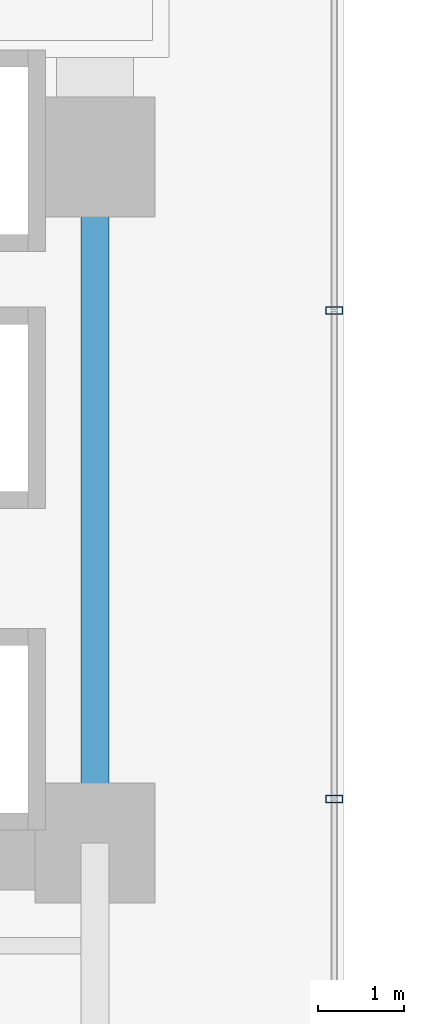
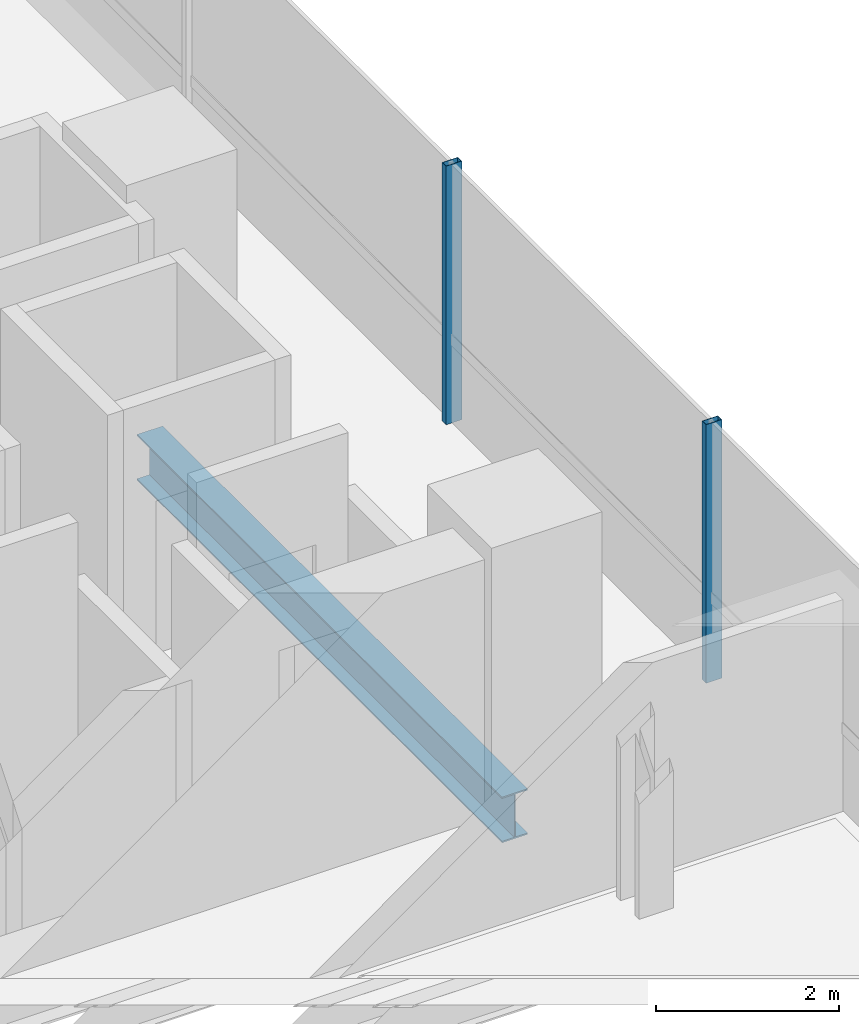
# One storey, part 6 of 40: 2 members, 1 beam, 1 element without a shape of its own.
"""IFC4 building model written with IfcOpenShell, lengths in metres."""

from ifc_helpers import new_model, si_unit, direction, frame, origin, origin_2d, place, context, subcontext, project, spatial, hollow_rectangle, i_section, extrude, source, transform, mapped, material, material_profile, profile_set, type_object, element, aggregate, save


model = new_model("IFC4")

# Units and contexts
model_context = context("Model", 3, precision=1e-05, world=origin(), true_north=direction((0.0, 1.0)))
body_context = subcontext(model_context, "Body", "Model", "MODEL_VIEW")
ifc_project = project(units=[si_unit("LENGTHUNIT", "METRE"), si_unit("AREAUNIT", "SQUARE_METRE"), si_unit("VOLUMEUNIT", "CUBIC_METRE"), si_unit("PLANEANGLEUNIT", "RADIAN"), si_unit("MASSUNIT", "GRAM", prefix="KILO")], contexts=[model_context])

# Site, building, storey
site_placement = place(None, origin())
site = spatial("IfcSite", under=ifc_project, at=site_placement, CompositionType="ELEMENT")
building_placement = place(site_placement, origin())
building = spatial("IfcBuilding", under=site, at=building_placement, Name="Valdorenza Pilgrim Sanctuary Tower", CompositionType="ELEMENT")
storey_placement = place(building_placement, frame((0.0, 0.0, 51.89990234375)))
storey = spatial("IfcBuildingStorey", under=building, at=storey_placement, Name="L12", CompositionType="ELEMENT", Elevation=51.89990234375)

# Beam
ifc_material_1 = material(Name="Steel ASTM A992 Grade 50", Category="steel")
ifc_material_profile_1 = material_profile(ifc_material_1, i_section(OverallWidth=0.323974609375, OverallDepth=0.611083984375, WebThickness=0.0126953125, FlangeThickness=0.01904296875, at=origin_2d()), Name="W24X104")
ifc_profile_set_1 = profile_set([ifc_material_profile_1], Name="Steel ASTM A992 Grade 50")
beam_type = type_object("IfcBeamType", Name="STR-BM-GRD-W24B", PredefinedType="BEAM", material=ifc_profile_set_1)
shared_shape_1 = source(origin(), body_context, "Body", "SweptSolid", [
    extrude(i_section(OverallWidth=0.323974609375, OverallDepth=0.611083984375, WebThickness=0.0126953125, FlangeThickness=0.01904296875, at=origin_2d()), origin(), (0.0, 0.0, 1.0), 8.0),
])
beam_placement = place(storey_placement, frame((-12.39990234375, -10.60009765625, -0.54541015625), z_axis=(0.0, 1.0, 0.0), x_axis=(-1.0, 0.0, 0.0)))
element("IfcBeam", 1, at=beam_placement, inside=storey, type_object=beam_type, Name="L12 Core Tie Girder CA-E-S1M0", PredefinedType="BEAM", context=body_context, shape_type="MappedRepresentation", body=[
    mapped(shared_shape_1, transform((0.0, 0.0, 0.0), x_axis=(1.0, 0.0, 0.0), y_axis=(0.0, 1.0, 0.0), z_axis=(0.0, 0.0, 1.0), scale=1.0)),
])

# Curtain wall, members
ifc_material_2 = material(Name="Curtain-wall IGU glazing", Category="glass")
curtain_wall_type = type_object("IfcCurtainWallType", Name="CW-SYS-02", PredefinedType="NOTDEFINED", material=ifc_material_2)
curtain_wall_placement = place(storey_placement, origin())
curtain_wall = element("IfcCurtainWall", 2, at=curtain_wall_placement, inside=storey, type_object=curtain_wall_type, Name="L12 Curtain Wall CW-L12-1-41", PredefinedType="NOTDEFINED")
ifc_material_3 = material(Name="Anodised aluminium AW-6060", Category="aluminium")
ifc_material_profile_2 = material_profile(ifc_material_3, hollow_rectangle(XDim=0.0849609375, YDim=0.199951171875, WallThickness=0.0048828125, at=origin_2d()), Name="ALU-M 200x85x5")
ifc_profile_set_2 = profile_set([ifc_material_profile_2], Name="Anodised aluminium AW-6060")
member_type = type_object("IfcMemberType", Name="CW-MUL-02", PredefinedType="MULLION", material=ifc_profile_set_2)
shared_shape_2 = source(origin(), body_context, "Body", "SweptSolid", [
    extrude(hollow_rectangle(XDim=0.0849609375, YDim=0.199951171875, WallThickness=0.0048828125, at=origin_2d()), origin(), (0.0, 0.0, 1.0), 3.460205078125),
])
member_1_placement = place(storey_placement, frame((-9.610107421875, -4.38916015625, 0.0), z_axis=(0.0, 0.0, 1.0), x_axis=(0.0, -1.0, 0.0)))
member_1 = element("IfcMember", 3, at=member_1_placement, type_object=member_type, Name="CW-L12-1-41 Mullion 3", PredefinedType="MULLION", context=body_context, shape_type="MappedRepresentation", body=[
    mapped(shared_shape_2, transform((0.0, 0.0, 0.0), x_axis=(1.0, 0.0, 0.0), y_axis=(0.0, 1.0, 0.0), z_axis=(0.0, 0.0, 1.0), scale=1.0)),
])
member_2_placement = place(storey_placement, frame((-9.610107421875, -10.089111328125, 0.0), z_axis=(0.0, 0.0, 1.0), x_axis=(0.0, -1.0, 0.0)))
member_2 = element("IfcMember", 4, at=member_2_placement, type_object=member_type, Name="CW-L12-1-41 Mullion 4", PredefinedType="MULLION", context=body_context, shape_type="MappedRepresentation", body=[
    mapped(shared_shape_2, transform((0.0, 0.0, 0.0), x_axis=(1.0, 0.0, 0.0), y_axis=(0.0, 1.0, 0.0), z_axis=(0.0, 0.0, 1.0), scale=1.0)),
])
aggregate(curtain_wall, [member_1, member_2])

save(model, "model.ifc")
